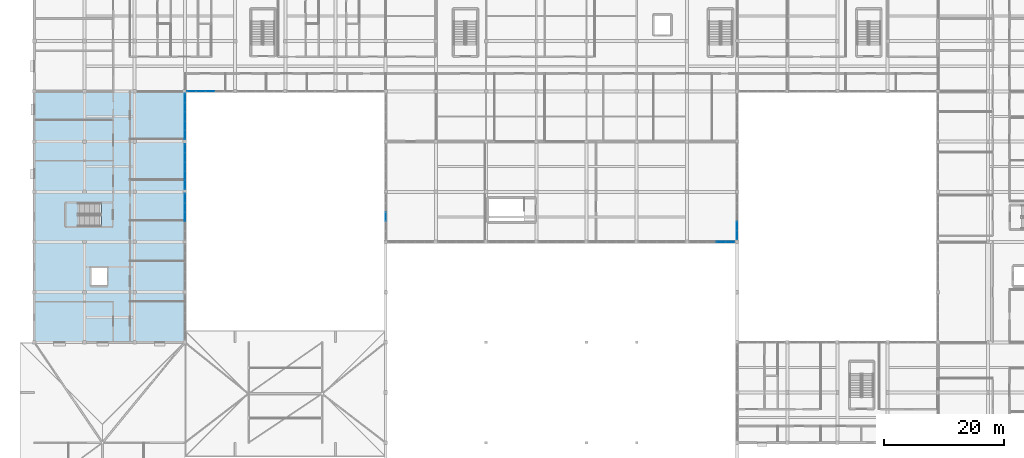
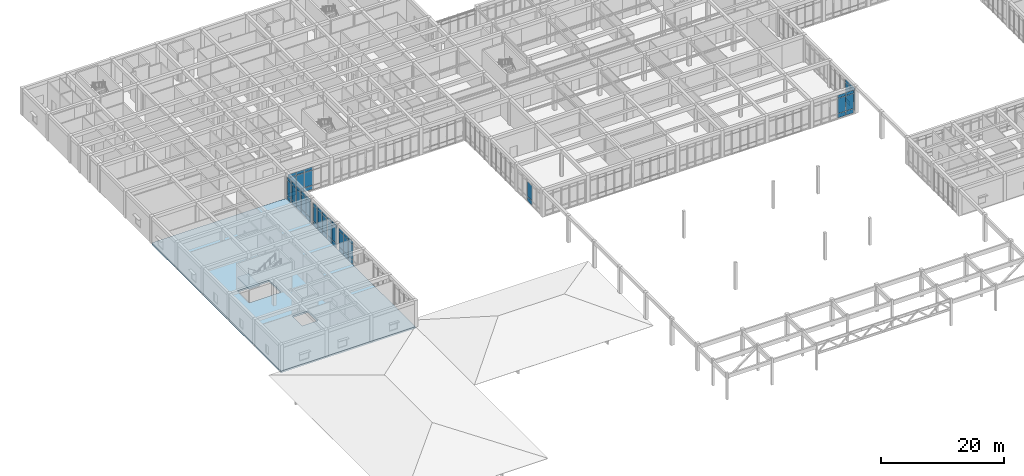
# One storey, part 42 of 89: 62 plates, 2 slabs, 8 elements without a shape of their own.
"""IFC4 building model written with IfcOpenShell, lengths in metres."""

from ifc_helpers import new_model, si_unit, direction, frame, origin, origin_2d, place, context, subcontext, project, spatial, polyline, rectangle, outline, extrude, material, layer, layer_set, type_object, element, aggregate, save


model = new_model("IFC4")

# Units and contexts
model_context = context("Model", 3, precision=1e-05, world=origin(), true_north=direction((0.0, 1.0)))
body_context = subcontext(model_context, "Body", "Model", "MODEL_VIEW")
ifc_project = project(units=[si_unit("LENGTHUNIT", "METRE"), si_unit("AREAUNIT", "SQUARE_METRE"), si_unit("VOLUMEUNIT", "CUBIC_METRE"), si_unit("PLANEANGLEUNIT", "RADIAN"), si_unit("MASSUNIT", "GRAM", prefix="KILO")], contexts=[model_context])

# Site, building, storey
site_placement = place(None, origin())
site = spatial("IfcSite", under=ifc_project, at=site_placement, CompositionType="ELEMENT")
building_placement = place(site_placement, origin())
building = spatial("IfcBuilding", under=site, at=building_placement, Name="Varncliffe General Hospital", CompositionType="ELEMENT")
storey_placement = place(building_placement, frame((0.0, 0.0, 10.800048828125)))
storey = spatial("IfcBuildingStorey", under=building, at=storey_placement, Name="L02", CompositionType="ELEMENT", Elevation=10.800048828125)

# Curtain wall, plates
ifc_material_1 = material(Name="Triple low-E argon insulated vision glazing", Category="glass")
curtain_wall_type_1 = type_object("IfcCurtainWallType", Name="Unitised Glazed Curtain Wall CW70 (7724x4640)", PredefinedType="USERDEFINED", material=ifc_material_1)
curtain_wall_1_placement = place(storey_placement, origin())
curtain_wall_1 = element("IfcCurtainWall", 1, at=curtain_wall_1_placement, inside=storey, type_object=curtain_wall_type_1, Name="L02 Glazed Curtain Wall CW70-133", ObjectType="GLAZED CURTAIN WALL", PredefinedType="USERDEFINED")
ifc_layer_1 = layer(ifc_material_1, 0.0439453125)
ifc_layer_set_1 = layer_set([ifc_layer_1], Name="Triple low-E argon insulated vision glazing")
plate_type_1 = type_object("IfcPlateType", Name="Curtain Wall Glazing Panel CP12 (44mm)", PredefinedType="CURTAIN_PANEL", material=ifc_layer_set_1)
plate_1_placement = place(storey_placement, frame((117.60009765625, 60.255126953125, 0.059814453125), z_axis=(0.0, 0.0, 1.0), x_axis=(0.0, -1.0, 0.0)))
plate_1 = element("IfcPlate", 2, at=plate_1_placement, type_object=plate_type_1, Name="CW70 panel 4.1", PredefinedType="CURTAIN_PANEL", context=body_context, shape_type="SweptSolid", body=[
    extrude(rectangle(XDim=1.4697265625, YDim=0.0439453125, at=origin_2d()), origin(), (0.0, 0.0, 1.0), 0.81005859375),
])
plate_2_placement = place(storey_placement, frame((117.60009765625, 60.255126953125, 0.929931640625), z_axis=(0.0, 0.0, 1.0), x_axis=(0.0, -1.0, 0.0)))
plate_2 = element("IfcPlate", 3, at=plate_2_placement, type_object=plate_type_1, Name="CW70 panel 4.2", PredefinedType="CURTAIN_PANEL", context=body_context, shape_type="SweptSolid", body=[
    extrude(rectangle(XDim=1.4697265625, YDim=0.0439453125, at=origin_2d()), origin(), (0.0, 0.0, 1.0), 2.97998046875),
])
plate_3_placement = place(storey_placement, frame((117.60009765625, 60.255126953125, 3.9697265625), z_axis=(0.0, 0.0, 1.0), x_axis=(0.0, -1.0, 0.0)))
plate_3 = element("IfcPlate", 4, at=plate_3_placement, type_object=plate_type_1, Name="CW70 panel 4.3", PredefinedType="CURTAIN_PANEL", context=body_context, shape_type="SweptSolid", body=[
    extrude(rectangle(XDim=1.4697265625, YDim=0.0439453125, at=origin_2d()), origin(), (0.0, 0.0, 1.0), 0.610107421875),
])
plate_4_placement = place(storey_placement, frame((117.60009765625, 58.729248046875, 0.059814453125), z_axis=(0.0, 0.0, 1.0), x_axis=(0.0, -1.0, 0.0)))
plate_4 = element("IfcPlate", 5, at=plate_4_placement, type_object=plate_type_1, Name="CW70 panel 5.1", PredefinedType="CURTAIN_PANEL", context=body_context, shape_type="SweptSolid", body=[
    extrude(rectangle(XDim=1.432373046875, YDim=0.0439453125, at=origin_2d()), origin(), (0.0, 0.0, 1.0), 0.81005859375),
])
plate_5_placement = place(storey_placement, frame((117.60009765625, 58.729248046875, 0.929931640625), z_axis=(0.0, 0.0, 1.0), x_axis=(0.0, -1.0, 0.0)))
plate_5 = element("IfcPlate", 6, at=plate_5_placement, type_object=plate_type_1, Name="CW70 panel 5.2", PredefinedType="CURTAIN_PANEL", context=body_context, shape_type="SweptSolid", body=[
    extrude(rectangle(XDim=1.432373046875, YDim=0.0439453125, at=origin_2d()), origin(), (0.0, 0.0, 1.0), 2.97998046875),
])
plate_6_placement = place(storey_placement, frame((117.60009765625, 58.729248046875, 3.9697265625), z_axis=(0.0, 0.0, 1.0), x_axis=(0.0, -1.0, 0.0)))
plate_6 = element("IfcPlate", 7, at=plate_6_placement, type_object=plate_type_1, Name="CW70 panel 5.3", PredefinedType="CURTAIN_PANEL", context=body_context, shape_type="SweptSolid", body=[
    extrude(rectangle(XDim=1.432373046875, YDim=0.0439453125, at=origin_2d()), origin(), (0.0, 0.0, 1.0), 0.610107421875),
])
aggregate(curtain_wall_1, [plate_1, plate_2, plate_3, plate_4, plate_5, plate_6])

curtain_wall_2_placement = place(storey_placement, origin())
curtain_wall_2 = element("IfcCurtainWall", 8, at=curtain_wall_2_placement, inside=storey, type_object=curtain_wall_type_1, Name="L02 Glazed Curtain Wall CW70-148", ObjectType="GLAZED CURTAIN WALL", PredefinedType="USERDEFINED")
plate_7_placement = place(storey_placement, frame((25.199951171875, 81.6708984375, 0.059814453125), z_axis=(0.0, 0.0, 1.0), x_axis=(0.0, -1.0, 0.0)))
plate_7 = element("IfcPlate", 9, at=plate_7_placement, type_object=plate_type_1, Name="CW70 panel 1.1", PredefinedType="CURTAIN_PANEL", context=body_context, shape_type="SweptSolid", body=[
    extrude(rectangle(XDim=1.432373046875, YDim=0.0439453125, at=origin_2d()), origin(), (0.0, 0.0, 1.0), 0.81005859375),
])
plate_8_placement = place(storey_placement, frame((25.199951171875, 81.6708984375, 0.929931640625), z_axis=(0.0, 0.0, 1.0), x_axis=(0.0, -1.0, 0.0)))
plate_8 = element("IfcPlate", 10, at=plate_8_placement, type_object=plate_type_1, Name="CW70 panel 1.2", PredefinedType="CURTAIN_PANEL", context=body_context, shape_type="SweptSolid", body=[
    extrude(rectangle(XDim=1.432373046875, YDim=0.0439453125, at=origin_2d()), origin(), (0.0, 0.0, 1.0), 2.97998046875),
])
plate_9_placement = place(storey_placement, frame((25.199951171875, 81.6708984375, 3.9697265625), z_axis=(0.0, 0.0, 1.0), x_axis=(0.0, -1.0, 0.0)))
plate_9 = element("IfcPlate", 11, at=plate_9_placement, type_object=plate_type_1, Name="CW70 panel 1.3", PredefinedType="CURTAIN_PANEL", context=body_context, shape_type="SweptSolid", body=[
    extrude(rectangle(XDim=1.432373046875, YDim=0.0439453125, at=origin_2d()), origin(), (0.0, 0.0, 1.0), 0.610107421875),
])
plate_10_placement = place(storey_placement, frame((25.199951171875, 80.144775390625, 0.059814453125), z_axis=(0.0, 0.0, 1.0), x_axis=(0.0, -1.0, 0.0)))
plate_10 = element("IfcPlate", 12, at=plate_10_placement, type_object=plate_type_1, Name="CW70 panel 2.1", PredefinedType="CURTAIN_PANEL", context=body_context, shape_type="SweptSolid", body=[
    extrude(rectangle(XDim=1.4697265625, YDim=0.0439453125, at=origin_2d()), origin(), (0.0, 0.0, 1.0), 0.81005859375),
])
plate_11_placement = place(storey_placement, frame((25.199951171875, 80.144775390625, 0.929931640625), z_axis=(0.0, 0.0, 1.0), x_axis=(0.0, -1.0, 0.0)))
plate_11 = element("IfcPlate", 13, at=plate_11_placement, type_object=plate_type_1, Name="CW70 panel 2.2", PredefinedType="CURTAIN_PANEL", context=body_context, shape_type="SweptSolid", body=[
    extrude(rectangle(XDim=1.4697265625, YDim=0.0439453125, at=origin_2d()), origin(), (0.0, 0.0, 1.0), 2.97998046875),
])
plate_12_placement = place(storey_placement, frame((25.199951171875, 80.144775390625, 3.9697265625), z_axis=(0.0, 0.0, 1.0), x_axis=(0.0, -1.0, 0.0)))
plate_12 = element("IfcPlate", 14, at=plate_12_placement, type_object=plate_type_1, Name="CW70 panel 2.3", PredefinedType="CURTAIN_PANEL", context=body_context, shape_type="SweptSolid", body=[
    extrude(rectangle(XDim=1.4697265625, YDim=0.0439453125, at=origin_2d()), origin(), (0.0, 0.0, 1.0), 0.610107421875),
])
plate_13_placement = place(storey_placement, frame((25.199951171875, 78.60009765625, 0.059814453125), z_axis=(0.0, 0.0, 1.0), x_axis=(0.0, -1.0, 0.0)))
plate_13 = element("IfcPlate", 15, at=plate_13_placement, type_object=plate_type_1, Name="CW70 panel 3.1", PredefinedType="CURTAIN_PANEL", context=body_context, shape_type="SweptSolid", body=[
    extrude(rectangle(XDim=1.4697265625, YDim=0.0439453125, at=origin_2d()), origin(), (0.0, 0.0, 1.0), 0.81005859375),
])
plate_14_placement = place(storey_placement, frame((25.199951171875, 78.60009765625, 0.929931640625), z_axis=(0.0, 0.0, 1.0), x_axis=(0.0, -1.0, 0.0)))
plate_14 = element("IfcPlate", 16, at=plate_14_placement, type_object=plate_type_1, Name="CW70 panel 3.2", PredefinedType="CURTAIN_PANEL", context=body_context, shape_type="SweptSolid", body=[
    extrude(rectangle(XDim=1.4697265625, YDim=0.0439453125, at=origin_2d()), origin(), (0.0, 0.0, 1.0), 2.97998046875),
])
plate_15_placement = place(storey_placement, frame((25.199951171875, 78.60009765625, 3.9697265625), z_axis=(0.0, 0.0, 1.0), x_axis=(0.0, -1.0, 0.0)))
plate_15 = element("IfcPlate", 17, at=plate_15_placement, type_object=plate_type_1, Name="CW70 panel 3.3", PredefinedType="CURTAIN_PANEL", context=body_context, shape_type="SweptSolid", body=[
    extrude(rectangle(XDim=1.4697265625, YDim=0.0439453125, at=origin_2d()), origin(), (0.0, 0.0, 1.0), 0.610107421875),
])
plate_16_placement = place(storey_placement, frame((25.199951171875, 77.05517578125, 0.059814453125), z_axis=(0.0, 0.0, 1.0), x_axis=(0.0, -1.0, 0.0)))
plate_16 = element("IfcPlate", 18, at=plate_16_placement, type_object=plate_type_1, Name="CW70 panel 4.1", PredefinedType="CURTAIN_PANEL", context=body_context, shape_type="SweptSolid", body=[
    extrude(rectangle(XDim=1.4697265625, YDim=0.0439453125, at=origin_2d()), origin(), (0.0, 0.0, 1.0), 0.81005859375),
])
plate_17_placement = place(storey_placement, frame((25.199951171875, 77.05517578125, 0.929931640625), z_axis=(0.0, 0.0, 1.0), x_axis=(0.0, -1.0, 0.0)))
plate_17 = element("IfcPlate", 19, at=plate_17_placement, type_object=plate_type_1, Name="CW70 panel 4.2", PredefinedType="CURTAIN_PANEL", context=body_context, shape_type="SweptSolid", body=[
    extrude(rectangle(XDim=1.4697265625, YDim=0.0439453125, at=origin_2d()), origin(), (0.0, 0.0, 1.0), 2.97998046875),
])
plate_18_placement = place(storey_placement, frame((25.199951171875, 77.05517578125, 3.9697265625), z_axis=(0.0, 0.0, 1.0), x_axis=(0.0, -1.0, 0.0)))
plate_18 = element("IfcPlate", 20, at=plate_18_placement, type_object=plate_type_1, Name="CW70 panel 4.3", PredefinedType="CURTAIN_PANEL", context=body_context, shape_type="SweptSolid", body=[
    extrude(rectangle(XDim=1.4697265625, YDim=0.0439453125, at=origin_2d()), origin(), (0.0, 0.0, 1.0), 0.610107421875),
])
plate_19_placement = place(storey_placement, frame((25.199951171875, 75.529052734375, 0.059814453125), z_axis=(0.0, 0.0, 1.0), x_axis=(0.0, -1.0, 0.0)))
plate_19 = element("IfcPlate", 21, at=plate_19_placement, type_object=plate_type_1, Name="CW70 panel 5.1", PredefinedType="CURTAIN_PANEL", context=body_context, shape_type="SweptSolid", body=[
    extrude(rectangle(XDim=1.432373046875, YDim=0.0439453125, at=origin_2d()), origin(), (0.0, 0.0, 1.0), 0.81005859375),
])
plate_20_placement = place(storey_placement, frame((25.199951171875, 75.529052734375, 0.929931640625), z_axis=(0.0, 0.0, 1.0), x_axis=(0.0, -1.0, 0.0)))
plate_20 = element("IfcPlate", 22, at=plate_20_placement, type_object=plate_type_1, Name="CW70 panel 5.2", PredefinedType="CURTAIN_PANEL", context=body_context, shape_type="SweptSolid", body=[
    extrude(rectangle(XDim=1.432373046875, YDim=0.0439453125, at=origin_2d()), origin(), (0.0, 0.0, 1.0), 2.97998046875),
])
plate_21_placement = place(storey_placement, frame((25.199951171875, 75.529052734375, 3.9697265625), z_axis=(0.0, 0.0, 1.0), x_axis=(0.0, -1.0, 0.0)))
plate_21 = element("IfcPlate", 23, at=plate_21_placement, type_object=plate_type_1, Name="CW70 panel 5.3", PredefinedType="CURTAIN_PANEL", context=body_context, shape_type="SweptSolid", body=[
    extrude(rectangle(XDim=1.432373046875, YDim=0.0439453125, at=origin_2d()), origin(), (0.0, 0.0, 1.0), 0.610107421875),
])
aggregate(curtain_wall_2, [plate_7, plate_8, plate_9, plate_10, plate_11, plate_12, plate_13, plate_14, plate_15, plate_16, plate_17, plate_18, plate_19, plate_20, plate_21])

curtain_wall_type_2 = type_object("IfcCurtainWallType", Name="Unitised Glazed Curtain Wall CW85 (7804x4640)", PredefinedType="USERDEFINED", material=ifc_material_1)
curtain_wall_3_placement = place(storey_placement, origin())
curtain_wall_3 = element("IfcCurtainWall", 24, at=curtain_wall_3_placement, inside=storey, type_object=curtain_wall_type_2, Name="L02 Glazed Curtain Wall CW85-141", ObjectType="GLAZED CURTAIN WALL", PredefinedType="USERDEFINED")
ifc_layer_2 = layer(ifc_material_1, 0.035888671875)
ifc_layer_set_2 = layer_set([ifc_layer_2], Name="Triple low-E argon insulated vision glazing")
plate_type_2 = type_object("IfcPlateType", Name="Curtain Wall Glazing Panel CP27 (36mm)", PredefinedType="CURTAIN_PANEL", material=ifc_layer_set_2)
plate_22_placement = place(storey_placement, frame((58.800048828125, 61.800048828125, 0.06494140625), z_axis=(0.0, 0.0, 1.0), x_axis=(0.0, 1.0, 0.0)))
plate_22 = element("IfcPlate", 25, at=plate_22_placement, type_object=plate_type_2, Name="CW85 panel 3.1", PredefinedType="CURTAIN_PANEL", context=body_context, shape_type="SweptSolid", body=[
    extrude(rectangle(XDim=1.48583984375, YDim=0.035888671875, at=origin_2d()), origin(), (0.0, 0.0, 1.0), 0.802490234375),
])
plate_23_placement = place(storey_placement, frame((58.800048828125, 61.800048828125, 0.932373046875), z_axis=(0.0, 0.0, 1.0), x_axis=(0.0, 1.0, 0.0)))
plate_23 = element("IfcPlate", 26, at=plate_23_placement, type_object=plate_type_2, Name="CW85 panel 3.2", PredefinedType="CURTAIN_PANEL", context=body_context, shape_type="SweptSolid", body=[
    extrude(rectangle(XDim=1.48583984375, YDim=0.035888671875, at=origin_2d()), origin(), (0.0, 0.0, 1.0), 2.97509765625),
])
aggregate(curtain_wall_3, [plate_22, plate_23])

curtain_wall_4_placement = place(storey_placement, origin())
curtain_wall_4 = element("IfcCurtainWall", 27, at=curtain_wall_4_placement, inside=storey, type_object=curtain_wall_type_2, Name="L02 Glazed Curtain Wall CW85-147", ObjectType="GLAZED CURTAIN WALL", PredefinedType="USERDEFINED")
plate_24_placement = place(storey_placement, frame((29.39990234375, 82.800048828125, 0.06494140625), z_axis=(0.0, 0.0, 1.0), x_axis=(-1.0, 0.0, 0.0)))
plate_24 = element("IfcPlate", 28, at=plate_24_placement, type_object=plate_type_2, Name="CW85 panel 3.1", PredefinedType="CURTAIN_PANEL", context=body_context, shape_type="SweptSolid", body=[
    extrude(rectangle(XDim=1.48583984375, YDim=0.035888671875, at=origin_2d()), origin(), (0.0, 0.0, 1.0), 0.802490234375),
])
plate_25_placement = place(storey_placement, frame((29.39990234375, 82.800048828125, 0.932373046875), z_axis=(0.0, 0.0, 1.0), x_axis=(-1.0, 0.0, 0.0)))
plate_25 = element("IfcPlate", 29, at=plate_25_placement, type_object=plate_type_2, Name="CW85 panel 3.2", PredefinedType="CURTAIN_PANEL", context=body_context, shape_type="SweptSolid", body=[
    extrude(rectangle(XDim=1.48583984375, YDim=0.035888671875, at=origin_2d()), origin(), (0.0, 0.0, 1.0), 2.97509765625),
])
plate_26_placement = place(storey_placement, frame((29.39990234375, 82.800048828125, 3.972412109375), z_axis=(0.0, 0.0, 1.0), x_axis=(-1.0, 0.0, 0.0)))
plate_26 = element("IfcPlate", 30, at=plate_26_placement, type_object=plate_type_2, Name="CW85 panel 3.3", PredefinedType="CURTAIN_PANEL", context=body_context, shape_type="SweptSolid", body=[
    extrude(rectangle(XDim=1.48583984375, YDim=0.035888671875, at=origin_2d()), origin(), (0.0, 0.0, 1.0), 0.6025390625),
])
plate_27_placement = place(storey_placement, frame((27.839111328125, 82.800048828125, 0.06494140625), z_axis=(0.0, 0.0, 1.0), x_axis=(-1.0, 0.0, 0.0)))
plate_27 = element("IfcPlate", 31, at=plate_27_placement, type_object=plate_type_2, Name="CW85 panel 4.1", PredefinedType="CURTAIN_PANEL", context=body_context, shape_type="SweptSolid", body=[
    extrude(rectangle(XDim=1.48583984375, YDim=0.035888671875, at=origin_2d()), origin(), (0.0, 0.0, 1.0), 0.802490234375),
])
plate_28_placement = place(storey_placement, frame((27.839111328125, 82.800048828125, 0.932373046875), z_axis=(0.0, 0.0, 1.0), x_axis=(-1.0, 0.0, 0.0)))
plate_28 = element("IfcPlate", 32, at=plate_28_placement, type_object=plate_type_2, Name="CW85 panel 4.2", PredefinedType="CURTAIN_PANEL", context=body_context, shape_type="SweptSolid", body=[
    extrude(rectangle(XDim=1.48583984375, YDim=0.035888671875, at=origin_2d()), origin(), (0.0, 0.0, 1.0), 2.97509765625),
])
plate_29_placement = place(storey_placement, frame((27.839111328125, 82.800048828125, 3.972412109375), z_axis=(0.0, 0.0, 1.0), x_axis=(-1.0, 0.0, 0.0)))
plate_29 = element("IfcPlate", 33, at=plate_29_placement, type_object=plate_type_2, Name="CW85 panel 4.3", PredefinedType="CURTAIN_PANEL", context=body_context, shape_type="SweptSolid", body=[
    extrude(rectangle(XDim=1.48583984375, YDim=0.035888671875, at=origin_2d()), origin(), (0.0, 0.0, 1.0), 0.6025390625),
])
plate_30_placement = place(storey_placement, frame((26.297119140625, 82.800048828125, 0.06494140625), z_axis=(0.0, 0.0, 1.0), x_axis=(-1.0, 0.0, 0.0)))
plate_30 = element("IfcPlate", 34, at=plate_30_placement, type_object=plate_type_2, Name="CW85 panel 5.1", PredefinedType="CURTAIN_PANEL", context=body_context, shape_type="SweptSolid", body=[
    extrude(rectangle(XDim=1.4482421875, YDim=0.035888671875, at=origin_2d()), origin(), (0.0, 0.0, 1.0), 0.802490234375),
])
plate_31_placement = place(storey_placement, frame((26.297119140625, 82.800048828125, 0.932373046875), z_axis=(0.0, 0.0, 1.0), x_axis=(-1.0, 0.0, 0.0)))
plate_31 = element("IfcPlate", 35, at=plate_31_placement, type_object=plate_type_2, Name="CW85 panel 5.2", PredefinedType="CURTAIN_PANEL", context=body_context, shape_type="SweptSolid", body=[
    extrude(rectangle(XDim=1.4482421875, YDim=0.035888671875, at=origin_2d()), origin(), (0.0, 0.0, 1.0), 2.97509765625),
])
plate_32_placement = place(storey_placement, frame((26.297119140625, 82.800048828125, 3.972412109375), z_axis=(0.0, 0.0, 1.0), x_axis=(-1.0, 0.0, 0.0)))
plate_32 = element("IfcPlate", 36, at=plate_32_placement, type_object=plate_type_2, Name="CW85 panel 5.3", PredefinedType="CURTAIN_PANEL", context=body_context, shape_type="SweptSolid", body=[
    extrude(rectangle(XDim=1.4482421875, YDim=0.035888671875, at=origin_2d()), origin(), (0.0, 0.0, 1.0), 0.6025390625),
])
aggregate(curtain_wall_4, [plate_24, plate_25, plate_26, plate_27, plate_28, plate_29, plate_30, plate_31, plate_32])

curtain_wall_5_placement = place(storey_placement, origin())
curtain_wall_5 = element("IfcCurtainWall", 37, at=curtain_wall_5_placement, inside=storey, type_object=curtain_wall_type_2, Name="L02 Glazed Curtain Wall CW85-150", ObjectType="GLAZED CURTAIN WALL", PredefinedType="USERDEFINED")
plate_33_placement = place(storey_placement, frame((25.199951171875, 64.90283203125, 0.06494140625), z_axis=(0.0, 0.0, 1.0), x_axis=(0.0, -1.0, 0.0)))
plate_33 = element("IfcPlate", 38, at=plate_33_placement, type_object=plate_type_2, Name="CW85 panel 1.1", PredefinedType="CURTAIN_PANEL", context=body_context, shape_type="SweptSolid", body=[
    extrude(rectangle(XDim=1.4482421875, YDim=0.035888671875, at=origin_2d()), origin(), (0.0, 0.0, 1.0), 0.802490234375),
])
plate_34_placement = place(storey_placement, frame((25.199951171875, 64.90283203125, 0.932373046875), z_axis=(0.0, 0.0, 1.0), x_axis=(0.0, -1.0, 0.0)))
plate_34 = element("IfcPlate", 39, at=plate_34_placement, type_object=plate_type_2, Name="CW85 panel 1.2", PredefinedType="CURTAIN_PANEL", context=body_context, shape_type="SweptSolid", body=[
    extrude(rectangle(XDim=1.4482421875, YDim=0.035888671875, at=origin_2d()), origin(), (0.0, 0.0, 1.0), 2.97509765625),
])
plate_35_placement = place(storey_placement, frame((25.199951171875, 64.90283203125, 3.972412109375), z_axis=(0.0, 0.0, 1.0), x_axis=(0.0, -1.0, 0.0)))
plate_35 = element("IfcPlate", 40, at=plate_35_placement, type_object=plate_type_2, Name="CW85 panel 1.3", PredefinedType="CURTAIN_PANEL", context=body_context, shape_type="SweptSolid", body=[
    extrude(rectangle(XDim=1.4482421875, YDim=0.035888671875, at=origin_2d()), origin(), (0.0, 0.0, 1.0), 0.6025390625),
])
plate_36_placement = place(storey_placement, frame((25.199951171875, 63.36083984375, 0.06494140625), z_axis=(0.0, 0.0, 1.0), x_axis=(0.0, -1.0, 0.0)))
plate_36 = element("IfcPlate", 41, at=plate_36_placement, type_object=plate_type_2, Name="CW85 panel 2.1", PredefinedType="CURTAIN_PANEL", context=body_context, shape_type="SweptSolid", body=[
    extrude(rectangle(XDim=1.48583984375, YDim=0.035888671875, at=origin_2d()), origin(), (0.0, 0.0, 1.0), 0.802490234375),
])
plate_37_placement = place(storey_placement, frame((25.199951171875, 63.36083984375, 0.932373046875), z_axis=(0.0, 0.0, 1.0), x_axis=(0.0, -1.0, 0.0)))
plate_37 = element("IfcPlate", 42, at=plate_37_placement, type_object=plate_type_2, Name="CW85 panel 2.2", PredefinedType="CURTAIN_PANEL", context=body_context, shape_type="SweptSolid", body=[
    extrude(rectangle(XDim=1.48583984375, YDim=0.035888671875, at=origin_2d()), origin(), (0.0, 0.0, 1.0), 2.97509765625),
])
plate_38_placement = place(storey_placement, frame((25.199951171875, 63.36083984375, 3.972412109375), z_axis=(0.0, 0.0, 1.0), x_axis=(0.0, -1.0, 0.0)))
plate_38 = element("IfcPlate", 43, at=plate_38_placement, type_object=plate_type_2, Name="CW85 panel 2.3", PredefinedType="CURTAIN_PANEL", context=body_context, shape_type="SweptSolid", body=[
    extrude(rectangle(XDim=1.48583984375, YDim=0.035888671875, at=origin_2d()), origin(), (0.0, 0.0, 1.0), 0.6025390625),
])
plate_39_placement = place(storey_placement, frame((25.199951171875, 61.800048828125, 0.06494140625), z_axis=(0.0, 0.0, 1.0), x_axis=(0.0, -1.0, 0.0)))
plate_39 = element("IfcPlate", 44, at=plate_39_placement, type_object=plate_type_2, Name="CW85 panel 3.1", PredefinedType="CURTAIN_PANEL", context=body_context, shape_type="SweptSolid", body=[
    extrude(rectangle(XDim=1.48583984375, YDim=0.035888671875, at=origin_2d()), origin(), (0.0, 0.0, 1.0), 0.802490234375),
])
plate_40_placement = place(storey_placement, frame((25.199951171875, 61.800048828125, 0.932373046875), z_axis=(0.0, 0.0, 1.0), x_axis=(0.0, -1.0, 0.0)))
plate_40 = element("IfcPlate", 45, at=plate_40_placement, type_object=plate_type_2, Name="CW85 panel 3.2", PredefinedType="CURTAIN_PANEL", context=body_context, shape_type="SweptSolid", body=[
    extrude(rectangle(XDim=1.48583984375, YDim=0.035888671875, at=origin_2d()), origin(), (0.0, 0.0, 1.0), 2.97509765625),
])
plate_41_placement = place(storey_placement, frame((25.199951171875, 61.800048828125, 3.972412109375), z_axis=(0.0, 0.0, 1.0), x_axis=(0.0, -1.0, 0.0)))
plate_41 = element("IfcPlate", 46, at=plate_41_placement, type_object=plate_type_2, Name="CW85 panel 3.3", PredefinedType="CURTAIN_PANEL", context=body_context, shape_type="SweptSolid", body=[
    extrude(rectangle(XDim=1.48583984375, YDim=0.035888671875, at=origin_2d()), origin(), (0.0, 0.0, 1.0), 0.6025390625),
])
aggregate(curtain_wall_5, [plate_33, plate_34, plate_35, plate_36, plate_37, plate_38, plate_39, plate_40, plate_41])

curtain_wall_type_3 = type_object("IfcCurtainWallType", Name="Unitised Glazed Curtain Wall CW27 (7644x4640)", PredefinedType="USERDEFINED", material=ifc_material_1)
curtain_wall_6_placement = place(storey_placement, origin())
curtain_wall_6 = element("IfcCurtainWall", 47, at=curtain_wall_6_placement, inside=storey, type_object=curtain_wall_type_3, Name="L02 Glazed Curtain Wall CW27-134", ObjectType="GLAZED CURTAIN WALL", PredefinedType="USERDEFINED")
ifc_layer_3 = layer(ifc_material_1, 0.028076171875)
ifc_layer_set_3 = layer_set([ifc_layer_3], Name="Triple low-E argon insulated vision glazing")
plate_type_3 = type_object("IfcPlateType", Name="Curtain Wall Glazing Panel CP48 (28mm)", PredefinedType="CURTAIN_PANEL", material=ifc_layer_set_3)
plate_42_placement = place(storey_placement, frame((116.44140625, 57.60009765625, 0.059814453125), z_axis=(0.0, 0.0, 1.0), x_axis=(-1.0, 0.0, 0.0)))
plate_42 = element("IfcPlate", 48, at=plate_42_placement, type_object=plate_type_3, Name="CW27 panel 1.1", PredefinedType="CURTAIN_PANEL", context=body_context, shape_type="SweptSolid", body=[
    extrude(rectangle(XDim=1.431396484375, YDim=0.028076171875, at=origin_2d()), origin(), (0.0, 0.0, 1.0), 0.81005859375),
])
plate_43_placement = place(storey_placement, frame((116.44140625, 57.60009765625, 0.929931640625), z_axis=(0.0, 0.0, 1.0), x_axis=(-1.0, 0.0, 0.0)))
plate_43 = element("IfcPlate", 49, at=plate_43_placement, type_object=plate_type_3, Name="CW27 panel 1.2", PredefinedType="CURTAIN_PANEL", context=body_context, shape_type="SweptSolid", body=[
    extrude(rectangle(XDim=1.431396484375, YDim=0.028076171875, at=origin_2d()), origin(), (0.0, 0.0, 1.0), 2.97998046875),
])
plate_44_placement = place(storey_placement, frame((116.44140625, 57.60009765625, 3.9697265625), z_axis=(0.0, 0.0, 1.0), x_axis=(-1.0, 0.0, 0.0)))
plate_44 = element("IfcPlate", 50, at=plate_44_placement, type_object=plate_type_3, Name="CW27 panel 1.3", PredefinedType="CURTAIN_PANEL", context=body_context, shape_type="SweptSolid", body=[
    extrude(rectangle(XDim=1.431396484375, YDim=0.028076171875, at=origin_2d()), origin(), (0.0, 0.0, 1.0), 0.610107421875),
])
plate_45_placement = place(storey_placement, frame((114.9287109375, 57.60009765625, 0.059814453125), z_axis=(0.0, 0.0, 1.0), x_axis=(-1.0, 0.0, 0.0)))
plate_45 = element("IfcPlate", 51, at=plate_45_placement, type_object=plate_type_3, Name="CW27 panel 2.1", PredefinedType="CURTAIN_PANEL", context=body_context, shape_type="SweptSolid", body=[
    extrude(rectangle(XDim=1.4638671875, YDim=0.028076171875, at=origin_2d()), origin(), (0.0, 0.0, 1.0), 0.81005859375),
])
plate_46_placement = place(storey_placement, frame((114.9287109375, 57.60009765625, 0.929931640625), z_axis=(0.0, 0.0, 1.0), x_axis=(-1.0, 0.0, 0.0)))
plate_46 = element("IfcPlate", 52, at=plate_46_placement, type_object=plate_type_3, Name="CW27 panel 2.2", PredefinedType="CURTAIN_PANEL", context=body_context, shape_type="SweptSolid", body=[
    extrude(rectangle(XDim=1.4638671875, YDim=0.028076171875, at=origin_2d()), origin(), (0.0, 0.0, 1.0), 2.97998046875),
])
plate_47_placement = place(storey_placement, frame((114.9287109375, 57.60009765625, 3.9697265625), z_axis=(0.0, 0.0, 1.0), x_axis=(-1.0, 0.0, 0.0)))
plate_47 = element("IfcPlate", 53, at=plate_47_placement, type_object=plate_type_3, Name="CW27 panel 2.3", PredefinedType="CURTAIN_PANEL", context=body_context, shape_type="SweptSolid", body=[
    extrude(rectangle(XDim=1.4638671875, YDim=0.028076171875, at=origin_2d()), origin(), (0.0, 0.0, 1.0), 0.610107421875),
])
aggregate(curtain_wall_6, [plate_42, plate_43, plate_44, plate_45, plate_46, plate_47])

curtain_wall_7_placement = place(storey_placement, origin())
curtain_wall_7 = element("IfcCurtainWall", 54, at=curtain_wall_7_placement, inside=storey, type_object=curtain_wall_type_3, Name="L02 Glazed Curtain Wall CW27-149", ObjectType="GLAZED CURTAIN WALL", PredefinedType="USERDEFINED")
plate_48_placement = place(storey_placement, frame((25.199951171875, 73.241455078125, 0.059814453125), z_axis=(0.0, 0.0, 1.0), x_axis=(0.0, -1.0, 0.0)))
plate_48 = element("IfcPlate", 55, at=plate_48_placement, type_object=plate_type_3, Name="CW27 panel 1.1", PredefinedType="CURTAIN_PANEL", context=body_context, shape_type="SweptSolid", body=[
    extrude(rectangle(XDim=1.431396484375, YDim=0.028076171875, at=origin_2d()), origin(), (0.0, 0.0, 1.0), 0.81005859375),
])
plate_49_placement = place(storey_placement, frame((25.199951171875, 73.241455078125, 0.929931640625), z_axis=(0.0, 0.0, 1.0), x_axis=(0.0, -1.0, 0.0)))
plate_49 = element("IfcPlate", 56, at=plate_49_placement, type_object=plate_type_3, Name="CW27 panel 1.2", PredefinedType="CURTAIN_PANEL", context=body_context, shape_type="SweptSolid", body=[
    extrude(rectangle(XDim=1.431396484375, YDim=0.028076171875, at=origin_2d()), origin(), (0.0, 0.0, 1.0), 2.97998046875),
])
plate_50_placement = place(storey_placement, frame((25.199951171875, 73.241455078125, 3.9697265625), z_axis=(0.0, 0.0, 1.0), x_axis=(0.0, -1.0, 0.0)))
plate_50 = element("IfcPlate", 57, at=plate_50_placement, type_object=plate_type_3, Name="CW27 panel 1.3", PredefinedType="CURTAIN_PANEL", context=body_context, shape_type="SweptSolid", body=[
    extrude(rectangle(XDim=1.431396484375, YDim=0.028076171875, at=origin_2d()), origin(), (0.0, 0.0, 1.0), 0.610107421875),
])
plate_51_placement = place(storey_placement, frame((25.199951171875, 71.728759765625, 0.059814453125), z_axis=(0.0, 0.0, 1.0), x_axis=(0.0, -1.0, 0.0)))
plate_51 = element("IfcPlate", 58, at=plate_51_placement, type_object=plate_type_3, Name="CW27 panel 2.1", PredefinedType="CURTAIN_PANEL", context=body_context, shape_type="SweptSolid", body=[
    extrude(rectangle(XDim=1.4638671875, YDim=0.028076171875, at=origin_2d()), origin(), (0.0, 0.0, 1.0), 0.81005859375),
])
plate_52_placement = place(storey_placement, frame((25.199951171875, 71.728759765625, 0.929931640625), z_axis=(0.0, 0.0, 1.0), x_axis=(0.0, -1.0, 0.0)))
plate_52 = element("IfcPlate", 59, at=plate_52_placement, type_object=plate_type_3, Name="CW27 panel 2.2", PredefinedType="CURTAIN_PANEL", context=body_context, shape_type="SweptSolid", body=[
    extrude(rectangle(XDim=1.4638671875, YDim=0.028076171875, at=origin_2d()), origin(), (0.0, 0.0, 1.0), 2.97998046875),
])
plate_53_placement = place(storey_placement, frame((25.199951171875, 71.728759765625, 3.9697265625), z_axis=(0.0, 0.0, 1.0), x_axis=(0.0, -1.0, 0.0)))
plate_53 = element("IfcPlate", 60, at=plate_53_placement, type_object=plate_type_3, Name="CW27 panel 2.3", PredefinedType="CURTAIN_PANEL", context=body_context, shape_type="SweptSolid", body=[
    extrude(rectangle(XDim=1.4638671875, YDim=0.028076171875, at=origin_2d()), origin(), (0.0, 0.0, 1.0), 0.610107421875),
])
plate_54_placement = place(storey_placement, frame((25.199951171875, 70.199951171875, 0.059814453125), z_axis=(0.0, 0.0, 1.0), x_axis=(0.0, -1.0, 0.0)))
plate_54 = element("IfcPlate", 61, at=plate_54_placement, type_object=plate_type_3, Name="CW27 panel 3.1", PredefinedType="CURTAIN_PANEL", context=body_context, shape_type="SweptSolid", body=[
    extrude(rectangle(XDim=1.4638671875, YDim=0.028076171875, at=origin_2d()), origin(), (0.0, 0.0, 1.0), 0.81005859375),
])
plate_55_placement = place(storey_placement, frame((25.199951171875, 70.199951171875, 0.929931640625), z_axis=(0.0, 0.0, 1.0), x_axis=(0.0, -1.0, 0.0)))
plate_55 = element("IfcPlate", 62, at=plate_55_placement, type_object=plate_type_3, Name="CW27 panel 3.2", PredefinedType="CURTAIN_PANEL", context=body_context, shape_type="SweptSolid", body=[
    extrude(rectangle(XDim=1.4638671875, YDim=0.028076171875, at=origin_2d()), origin(), (0.0, 0.0, 1.0), 2.97998046875),
])
plate_56_placement = place(storey_placement, frame((25.199951171875, 70.199951171875, 3.9697265625), z_axis=(0.0, 0.0, 1.0), x_axis=(0.0, -1.0, 0.0)))
plate_56 = element("IfcPlate", 63, at=plate_56_placement, type_object=plate_type_3, Name="CW27 panel 3.3", PredefinedType="CURTAIN_PANEL", context=body_context, shape_type="SweptSolid", body=[
    extrude(rectangle(XDim=1.4638671875, YDim=0.028076171875, at=origin_2d()), origin(), (0.0, 0.0, 1.0), 0.610107421875),
])
plate_57_placement = place(storey_placement, frame((25.199951171875, 68.671142578125, 0.059814453125), z_axis=(0.0, 0.0, 1.0), x_axis=(0.0, -1.0, 0.0)))
plate_57 = element("IfcPlate", 64, at=plate_57_placement, type_object=plate_type_3, Name="CW27 panel 4.1", PredefinedType="CURTAIN_PANEL", context=body_context, shape_type="SweptSolid", body=[
    extrude(rectangle(XDim=1.4638671875, YDim=0.028076171875, at=origin_2d()), origin(), (0.0, 0.0, 1.0), 0.81005859375),
])
plate_58_placement = place(storey_placement, frame((25.199951171875, 68.671142578125, 0.929931640625), z_axis=(0.0, 0.0, 1.0), x_axis=(0.0, -1.0, 0.0)))
plate_58 = element("IfcPlate", 65, at=plate_58_placement, type_object=plate_type_3, Name="CW27 panel 4.2", PredefinedType="CURTAIN_PANEL", context=body_context, shape_type="SweptSolid", body=[
    extrude(rectangle(XDim=1.4638671875, YDim=0.028076171875, at=origin_2d()), origin(), (0.0, 0.0, 1.0), 2.97998046875),
])
plate_59_placement = place(storey_placement, frame((25.199951171875, 68.671142578125, 3.9697265625), z_axis=(0.0, 0.0, 1.0), x_axis=(0.0, -1.0, 0.0)))
plate_59 = element("IfcPlate", 66, at=plate_59_placement, type_object=plate_type_3, Name="CW27 panel 4.3", PredefinedType="CURTAIN_PANEL", context=body_context, shape_type="SweptSolid", body=[
    extrude(rectangle(XDim=1.4638671875, YDim=0.028076171875, at=origin_2d()), origin(), (0.0, 0.0, 1.0), 0.610107421875),
])
plate_60_placement = place(storey_placement, frame((25.199951171875, 67.15869140625, 0.059814453125), z_axis=(0.0, 0.0, 1.0), x_axis=(0.0, -1.0, 0.0)))
plate_60 = element("IfcPlate", 67, at=plate_60_placement, type_object=plate_type_3, Name="CW27 panel 5.1", PredefinedType="CURTAIN_PANEL", context=body_context, shape_type="SweptSolid", body=[
    extrude(rectangle(XDim=1.431396484375, YDim=0.028076171875, at=origin_2d()), origin(), (0.0, 0.0, 1.0), 0.81005859375),
])
plate_61_placement = place(storey_placement, frame((25.199951171875, 67.15869140625, 0.929931640625), z_axis=(0.0, 0.0, 1.0), x_axis=(0.0, -1.0, 0.0)))
plate_61 = element("IfcPlate", 68, at=plate_61_placement, type_object=plate_type_3, Name="CW27 panel 5.2", PredefinedType="CURTAIN_PANEL", context=body_context, shape_type="SweptSolid", body=[
    extrude(rectangle(XDim=1.431396484375, YDim=0.028076171875, at=origin_2d()), origin(), (0.0, 0.0, 1.0), 2.97998046875),
])
plate_62_placement = place(storey_placement, frame((25.199951171875, 67.15869140625, 3.9697265625), z_axis=(0.0, 0.0, 1.0), x_axis=(0.0, -1.0, 0.0)))
plate_62 = element("IfcPlate", 69, at=plate_62_placement, type_object=plate_type_3, Name="CW27 panel 5.3", PredefinedType="CURTAIN_PANEL", context=body_context, shape_type="SweptSolid", body=[
    extrude(rectangle(XDim=1.431396484375, YDim=0.028076171875, at=origin_2d()), origin(), (0.0, 0.0, 1.0), 0.610107421875),
])
aggregate(curtain_wall_7, [plate_48, plate_49, plate_50, plate_51, plate_52, plate_53, plate_54, plate_55, plate_56, plate_57, plate_58, plate_59, plate_60, plate_61, plate_62])

# Slab
ifc_material_2 = material(Name="Concrete C35/45 (CSA A23.1 35 MPa)", Category="concrete")
ifc_layer_4 = layer(ifc_material_2, 0.35009765625)
ifc_layer_set_4 = layer_set([ifc_layer_4], Name="Concrete C35/45 (CSA A23.1 35 MPa)")
slab_type_1 = type_object("IfcSlabType", Name="Floor Slab SL59 (Int 350mm)", PredefinedType="FLOOR", material=ifc_layer_set_4)
slab_1_placement = place(storey_placement, frame((0.0, 0.0, -0.35009765625)))
element("IfcSlab", 70, at=slab_1_placement, inside=storey, type_object=slab_type_1, Name="L02 V3 Structural Floor Slab 1", PredefinedType="FLOOR", context=body_context, shape_type="SweptSolid", body=[
    extrude(outline(polyline([(25.199951171875, 40.800048828125), (0.0, 40.800048828125), (0.0, 82.800048828125), (25.199951171875, 82.800048828125), (25.199951171875, 40.800048828125)]), holes=[polyline([(11.199951171875, 64.10009765625), (5.25, 64.10009765625), (5.25, 60.199951171875), (11.199951171875, 60.199951171875), (11.199951171875, 64.10009765625)]), polyline([(9.39990234375, 50.199951171875), (12.300048828125, 50.199951171875), (12.300048828125, 53.39990234375), (9.39990234375, 53.39990234375), (9.39990234375, 50.199951171875)])]), origin(), (0.0, 0.0, 1.0), 0.35009765625),
])

# Stair, slab
stair_type = type_object("IfcStairType", Name="Hospital Stair Assembly ST-T02 (1850w-5400h)", PredefinedType="TWO_STRAIGHT_RUN_STAIR", material=ifc_material_2)
stair_placement = place(storey_placement, origin())
stair = element("IfcStair", 71, at=stair_placement, inside=storey, type_object=stair_type, Name="L02 Diagnostic West Exit Stair 5", PredefinedType="TWO_STRAIGHT_RUN_STAIR")
ifc_layer_5 = layer(ifc_material_2, 0.199951171875)
ifc_layer_set_5 = layer_set([ifc_layer_5], Name="Concrete C35/45 (CSA A23.1 35 MPa)")
slab_type_2 = type_object("IfcSlabType", Name="Reinforced Concrete Stair Landing LND50 (200mm)", PredefinedType="LANDING", material=ifc_layer_set_5)
slab_2_placement = place(storey_placement, frame((0.0, 0.0, 2.5)))
slab_2 = element("IfcSlab", 72, at=slab_2_placement, type_object=slab_type_2, Name="ST05 landing 1", PredefinedType="LANDING", context=body_context, shape_type="SweptSolid", body=[
    extrude(outline(polyline([(7.280029296875, 64.10009765625), (5.25, 64.10009765625), (5.25, 60.199951171875), (7.280029296875, 60.199951171875), (7.280029296875, 64.10009765625)])), origin(), (0.0, 0.0, 1.0), 0.199951171875),
])
aggregate(stair, [slab_2])

save(model, "model.ifc")
